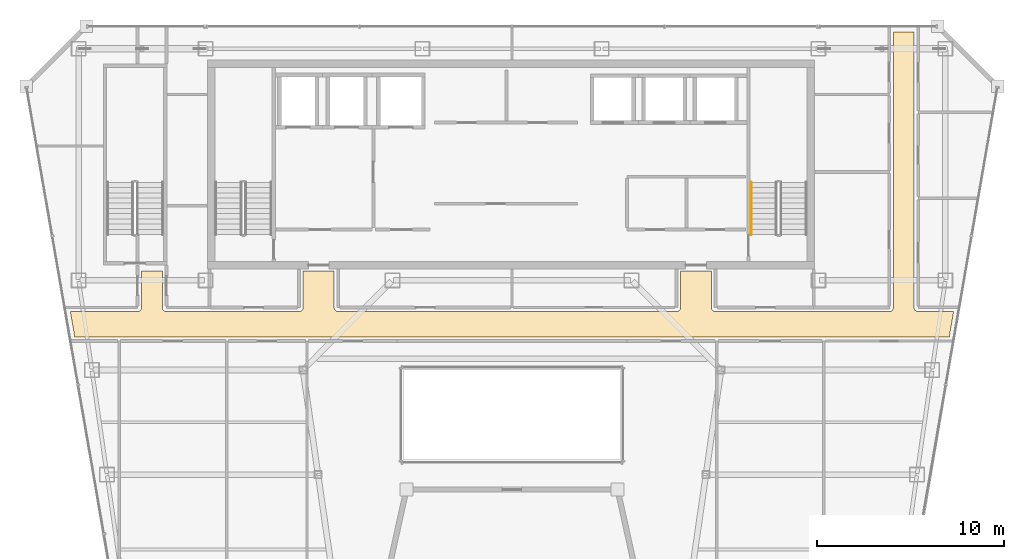
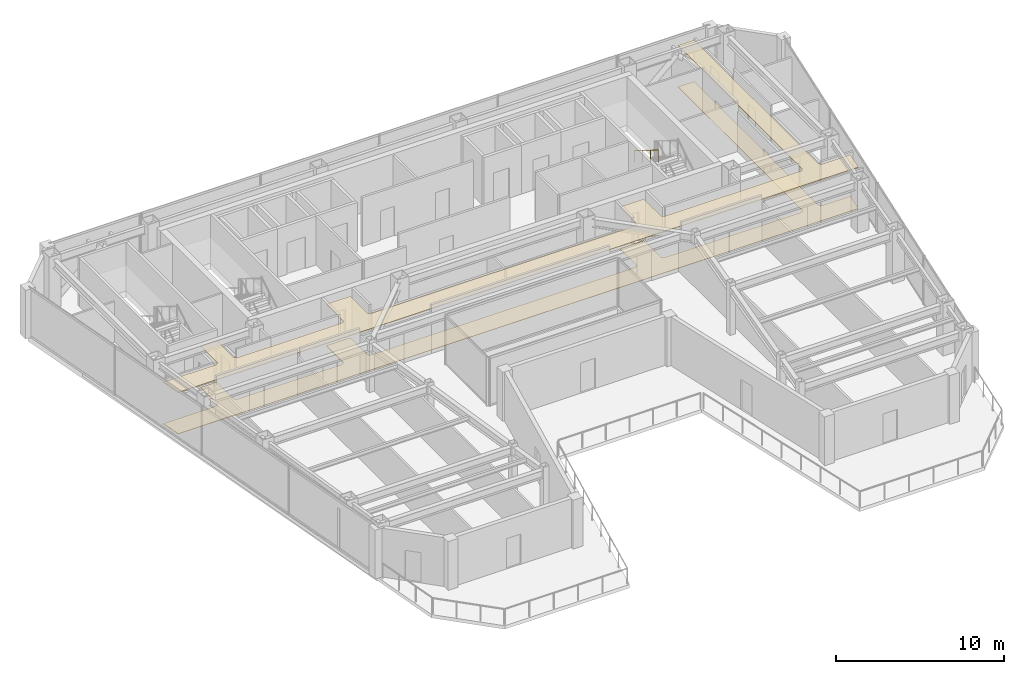
# One storey, part 30 of 31: 2 coverings, 1 railing.
"""IFC4 building model written with IfcOpenShell, lengths in metres."""

from ifc_helpers import new_model, si_unit, direction, frame, origin, origin_2d, place, context, subcontext, project, spatial, polyline, circle, outline, extrude, material, layer, layer_set, type_object, element, save


model = new_model("IFC4")

# Units and contexts
model_context = context("Model", 3, precision=1e-05, world=origin(), true_north=direction((0.0, 1.0)))
body_context = subcontext(model_context, "Body", "Model", "MODEL_VIEW")
ifc_project = project(units=[si_unit("LENGTHUNIT", "METRE"), si_unit("AREAUNIT", "SQUARE_METRE"), si_unit("VOLUMEUNIT", "CUBIC_METRE"), si_unit("PLANEANGLEUNIT", "RADIAN"), si_unit("MASSUNIT", "GRAM", prefix="KILO")], contexts=[model_context])

# Site, building, storey
site_placement = place(None, origin())
site = spatial("IfcSite", under=ifc_project, at=site_placement, CompositionType="ELEMENT")
building_placement = place(site_placement, origin())
building = spatial("IfcBuilding", under=site, at=building_placement, Name="Saevonmaru Cultural Tower", CompositionType="ELEMENT")
storey_placement = place(building_placement, frame((0.0, 0.0, 230.60009765625)))
storey = spatial("IfcBuildingStorey", under=building, at=storey_placement, Name="L53", CompositionType="ELEMENT", Elevation=230.60009765625)

# Coverings
ifc_material_1 = material(Name="Mineral Fibre Acoustic Ceiling", Category="gypsum")
ifc_layer_1 = layer(ifc_material_1, 0.044921875, Name="Mineral Fibre Acoustic Ceiling")
ifc_layer_set_1 = layer_set([ifc_layer_1], Name="Mineral Fibre Acoustic Ceiling")
covering_type_1 = type_object("IfcCoveringType", Name="CV-CEIL-ACOUSTIC", PredefinedType="CEILING", material=ifc_layer_set_1)
covering_1_placement = place(storey_placement, frame((0.0, 0.0, 3.0)))
element("IfcCovering", 1, at=covering_1_placement, inside=storey, type_object=covering_type_1, Name="L53 Corridor Acoustic Ceiling", PredefinedType="CEILING", context=body_context, shape_type="SweptSolid", body=[
    extrude(outline(polyline([(6.592041015625, 39.3701171875), (6.35595703125, 40.72998046875), (9.949951171875, 40.72998046875), (9.971923828125, 40.73095703125), (9.992919921875, 40.73388671875), (10.013916015625, 40.739013671875), (10.033935546875, 40.7470703125), (10.053955078125, 40.756103515625), (10.072021484375, 40.76708984375), (10.090087890625, 40.780029296875), (10.10595703125, 40.7939453125), (10.1201171875, 40.81005859375), (10.133056640625, 40.827880859375), (10.14404296875, 40.845947265625), (10.153076171875, 40.865966796875), (10.160888671875, 40.885986328125), (10.166015625, 40.906982421875), (10.1689453125, 40.927978515625), (10.169921875, 40.949951171875), (10.169921875, 42.889892578125), (11.280029296875, 42.889892578125), (11.280029296875, 40.949951171875), (11.281005859375, 40.927978515625), (11.283935546875, 40.906982421875), (11.2890625, 40.885986328125), (11.297119140625, 40.865966796875), (11.305908203125, 40.845947265625), (11.31689453125, 40.827880859375), (11.330078125, 40.81005859375), (11.343994140625, 40.7939453125), (11.360107421875, 40.780029296875), (11.3779296875, 40.76708984375), (11.39599609375, 40.756103515625), (11.416015625, 40.7470703125), (11.43603515625, 40.739013671875), (11.45703125, 40.73388671875), (11.47802734375, 40.73095703125), (11.5, 40.72998046875), (18.60009765625, 40.72998046875), (18.6220703125, 40.73095703125), (18.64306640625, 40.73388671875), (18.6640625, 40.739013671875), (18.68408203125, 40.7470703125), (18.7041015625, 40.756103515625), (18.721923828125, 40.76708984375), (18.739990234375, 40.780029296875), (18.756103515625, 40.7939453125), (18.77001953125, 40.81005859375), (18.782958984375, 40.827880859375), (18.7939453125, 40.845947265625), (18.802978515625, 40.865966796875), (18.81103515625, 40.885986328125), (18.81591796875, 40.906982421875), (18.819091796875, 40.927978515625), (18.820068359375, 40.949951171875), (18.820068359375, 42.889892578125), (20.47998046875, 42.889892578125), (20.47998046875, 40.949951171875), (20.48095703125, 40.927978515625), (20.48388671875, 40.906982421875), (20.489013671875, 40.885986328125), (20.4970703125, 40.865966796875), (20.506103515625, 40.845947265625), (20.51708984375, 40.827880859375), (20.530029296875, 40.81005859375), (20.5439453125, 40.7939453125), (20.56005859375, 40.780029296875), (20.577880859375, 40.76708984375), (20.595947265625, 40.756103515625), (20.615966796875, 40.7470703125), (20.635986328125, 40.739013671875), (20.656982421875, 40.73388671875), (20.677978515625, 40.73095703125), (20.699951171875, 40.72998046875), (38.800048828125, 40.72998046875), (38.822021484375, 40.73095703125), (38.843017578125, 40.73388671875), (38.864013671875, 40.739013671875), (38.884033203125, 40.7470703125), (38.904052734375, 40.756103515625), (38.922119140625, 40.76708984375), (38.93994140625, 40.780029296875), (38.9560546875, 40.7939453125), (38.969970703125, 40.81005859375), (38.98291015625, 40.827880859375), (38.993896484375, 40.845947265625), (39.0029296875, 40.865966796875), (39.010986328125, 40.885986328125), (39.01611328125, 40.906982421875), (39.01904296875, 40.927978515625), (39.02001953125, 40.949951171875), (39.02001953125, 42.889892578125), (40.679931640625, 42.889892578125), (40.679931640625, 40.949951171875), (40.680908203125, 40.927978515625), (40.68408203125, 40.906982421875), (40.68896484375, 40.885986328125), (40.697021484375, 40.865966796875), (40.7060546875, 40.845947265625), (40.717041015625, 40.827880859375), (40.72998046875, 40.81005859375), (40.743896484375, 40.7939453125), (40.760009765625, 40.780029296875), (40.778076171875, 40.76708984375), (40.7958984375, 40.756103515625), (40.81591796875, 40.7470703125), (40.8359375, 40.739013671875), (40.85693359375, 40.73388671875), (40.8779296875, 40.73095703125), (40.89990234375, 40.72998046875), (50.199951171875, 40.72998046875), (50.221923828125, 40.73095703125), (50.242919921875, 40.73388671875), (50.263916015625, 40.739013671875), (50.283935546875, 40.7470703125), (50.303955078125, 40.756103515625), (50.322021484375, 40.76708984375), (50.340087890625, 40.780029296875), (50.35595703125, 40.7939453125), (50.3701171875, 40.81005859375), (50.383056640625, 40.827880859375), (50.39404296875, 40.845947265625), (50.403076171875, 40.865966796875), (50.410888671875, 40.885986328125), (50.416015625, 40.906982421875), (50.4189453125, 40.927978515625), (50.419921875, 40.949951171875), (50.419921875, 55.699951171875), (51.530029296875, 55.699951171875), (51.530029296875, 40.949951171875), (51.531005859375, 40.927978515625), (51.533935546875, 40.906982421875), (51.5390625, 40.885986328125), (51.547119140625, 40.865966796875), (51.555908203125, 40.845947265625), (51.56689453125, 40.827880859375), (51.580078125, 40.81005859375), (51.593994140625, 40.7939453125), (51.610107421875, 40.780029296875), (51.6279296875, 40.76708984375), (51.64599609375, 40.756103515625), (51.666015625, 40.7470703125), (51.68603515625, 40.739013671875), (51.70703125, 40.73388671875), (51.72802734375, 40.73095703125), (51.75, 40.72998046875), (53.64404296875, 40.72998046875), (53.407958984375, 39.3701171875), (6.592041015625, 39.3701171875)])), origin(), (0.0, 0.0, 1.0), 0.044921875),
])
ifc_material_2 = material(Name="Honed Granite Terrazzo", Category="masonry")
ifc_layer_2 = layer(ifc_material_2, 0.030029296875, Name="Honed Granite Terrazzo")
ifc_layer_set_2 = layer_set([ifc_layer_2], Name="Honed Granite Terrazzo")
covering_type_2 = type_object("IfcCoveringType", Name="CV-FLR-TERRAZZO", PredefinedType="FLOORING", material=ifc_layer_set_2)
covering_2_placement = place(storey_placement, origin())
element("IfcCovering", 2, at=covering_2_placement, inside=storey, type_object=covering_type_2, Name="L53 Corridor Terrazzo Flooring", PredefinedType="FLOORING", context=body_context, shape_type="SweptSolid", body=[
    extrude(outline(polyline([(6.592041015625, 39.3701171875), (6.35595703125, 40.72998046875), (9.949951171875, 40.72998046875), (9.971923828125, 40.73095703125), (9.992919921875, 40.73388671875), (10.013916015625, 40.739013671875), (10.033935546875, 40.7470703125), (10.053955078125, 40.756103515625), (10.072021484375, 40.76708984375), (10.090087890625, 40.780029296875), (10.10595703125, 40.7939453125), (10.1201171875, 40.81005859375), (10.133056640625, 40.827880859375), (10.14404296875, 40.845947265625), (10.153076171875, 40.865966796875), (10.160888671875, 40.885986328125), (10.166015625, 40.906982421875), (10.1689453125, 40.927978515625), (10.169921875, 40.949951171875), (10.169921875, 42.889892578125), (11.280029296875, 42.889892578125), (11.280029296875, 40.949951171875), (11.281005859375, 40.927978515625), (11.283935546875, 40.906982421875), (11.2890625, 40.885986328125), (11.297119140625, 40.865966796875), (11.305908203125, 40.845947265625), (11.31689453125, 40.827880859375), (11.330078125, 40.81005859375), (11.343994140625, 40.7939453125), (11.360107421875, 40.780029296875), (11.3779296875, 40.76708984375), (11.39599609375, 40.756103515625), (11.416015625, 40.7470703125), (11.43603515625, 40.739013671875), (11.45703125, 40.73388671875), (11.47802734375, 40.73095703125), (11.5, 40.72998046875), (18.60009765625, 40.72998046875), (18.6220703125, 40.73095703125), (18.64306640625, 40.73388671875), (18.6640625, 40.739013671875), (18.68408203125, 40.7470703125), (18.7041015625, 40.756103515625), (18.721923828125, 40.76708984375), (18.739990234375, 40.780029296875), (18.756103515625, 40.7939453125), (18.77001953125, 40.81005859375), (18.782958984375, 40.827880859375), (18.7939453125, 40.845947265625), (18.802978515625, 40.865966796875), (18.81103515625, 40.885986328125), (18.81591796875, 40.906982421875), (18.819091796875, 40.927978515625), (18.820068359375, 40.949951171875), (18.820068359375, 42.889892578125), (20.47998046875, 42.889892578125), (20.47998046875, 40.949951171875), (20.48095703125, 40.927978515625), (20.48388671875, 40.906982421875), (20.489013671875, 40.885986328125), (20.4970703125, 40.865966796875), (20.506103515625, 40.845947265625), (20.51708984375, 40.827880859375), (20.530029296875, 40.81005859375), (20.5439453125, 40.7939453125), (20.56005859375, 40.780029296875), (20.577880859375, 40.76708984375), (20.595947265625, 40.756103515625), (20.615966796875, 40.7470703125), (20.635986328125, 40.739013671875), (20.656982421875, 40.73388671875), (20.677978515625, 40.73095703125), (20.699951171875, 40.72998046875), (38.800048828125, 40.72998046875), (38.822021484375, 40.73095703125), (38.843017578125, 40.73388671875), (38.864013671875, 40.739013671875), (38.884033203125, 40.7470703125), (38.904052734375, 40.756103515625), (38.922119140625, 40.76708984375), (38.93994140625, 40.780029296875), (38.9560546875, 40.7939453125), (38.969970703125, 40.81005859375), (38.98291015625, 40.827880859375), (38.993896484375, 40.845947265625), (39.0029296875, 40.865966796875), (39.010986328125, 40.885986328125), (39.01611328125, 40.906982421875), (39.01904296875, 40.927978515625), (39.02001953125, 40.949951171875), (39.02001953125, 42.889892578125), (40.679931640625, 42.889892578125), (40.679931640625, 40.949951171875), (40.680908203125, 40.927978515625), (40.68408203125, 40.906982421875), (40.68896484375, 40.885986328125), (40.697021484375, 40.865966796875), (40.7060546875, 40.845947265625), (40.717041015625, 40.827880859375), (40.72998046875, 40.81005859375), (40.743896484375, 40.7939453125), (40.760009765625, 40.780029296875), (40.778076171875, 40.76708984375), (40.7958984375, 40.756103515625), (40.81591796875, 40.7470703125), (40.8359375, 40.739013671875), (40.85693359375, 40.73388671875), (40.8779296875, 40.73095703125), (40.89990234375, 40.72998046875), (50.199951171875, 40.72998046875), (50.221923828125, 40.73095703125), (50.242919921875, 40.73388671875), (50.263916015625, 40.739013671875), (50.283935546875, 40.7470703125), (50.303955078125, 40.756103515625), (50.322021484375, 40.76708984375), (50.340087890625, 40.780029296875), (50.35595703125, 40.7939453125), (50.3701171875, 40.81005859375), (50.383056640625, 40.827880859375), (50.39404296875, 40.845947265625), (50.403076171875, 40.865966796875), (50.410888671875, 40.885986328125), (50.416015625, 40.906982421875), (50.4189453125, 40.927978515625), (50.419921875, 40.949951171875), (50.419921875, 55.699951171875), (51.530029296875, 55.699951171875), (51.530029296875, 40.949951171875), (51.531005859375, 40.927978515625), (51.533935546875, 40.906982421875), (51.5390625, 40.885986328125), (51.547119140625, 40.865966796875), (51.555908203125, 40.845947265625), (51.56689453125, 40.827880859375), (51.580078125, 40.81005859375), (51.593994140625, 40.7939453125), (51.610107421875, 40.780029296875), (51.6279296875, 40.76708984375), (51.64599609375, 40.756103515625), (51.666015625, 40.7470703125), (51.68603515625, 40.739013671875), (51.70703125, 40.73388671875), (51.72802734375, 40.73095703125), (51.75, 40.72998046875), (53.64404296875, 40.72998046875), (53.407958984375, 39.3701171875), (6.592041015625, 39.3701171875)])), origin(), (0.0, 0.0, 1.0), 0.02978515625),
])

# Railing
ifc_material_3 = material(Name="Satin Bronze Anodised Aluminium", Category="aluminium")
railing_type = type_object("IfcRailingType", Name="RL-STAIR-HANDRAIL", PredefinedType="HANDRAIL", material=ifc_material_3)
railing_placement = place(storey_placement, frame((42.800048828125, 47.64990234375, 2.072509765625)))
element("IfcRailing", 3, at=railing_placement, inside=storey, type_object=railing_type, Name="L53 ST-2 stair handrail 2", PredefinedType="HANDRAIL", context=body_context, shape_type="SweptSolid", body=[
    extrude(circle(Radius=0.02392578125, at=origin_2d()), frame((0.0, 0.0, 0.8759765625), z_axis=(0.0, -0.851069175582, 0.525053576669), x_axis=(1.0, 0.0, 0.0)), (0.0, 0.0, 1.0), 3.289794921875),
    extrude(circle(Radius=0.02099609375, at=origin_2d()), origin(), (0.0, 0.0, 1.0), 0.851806640625),
    extrude(circle(Radius=0.02099609375, at=origin_2d()), frame((0.0, -0.933349609375, 0.57568359375)), (0.0, 0.0, 1.0), 0.851806640625),
    extrude(circle(Radius=0.02099609375, at=origin_2d()), frame((0.0, -1.866455078125, 1.151611328125)), (0.0, 0.0, 1.0), 0.851806640625),
    extrude(circle(Radius=0.02099609375, at=origin_2d()), frame((0.0, -2.7998046875, 1.727294921875)), (0.0, 0.0, 1.0), 0.851806640625),
])

save(model, "model.ifc")
